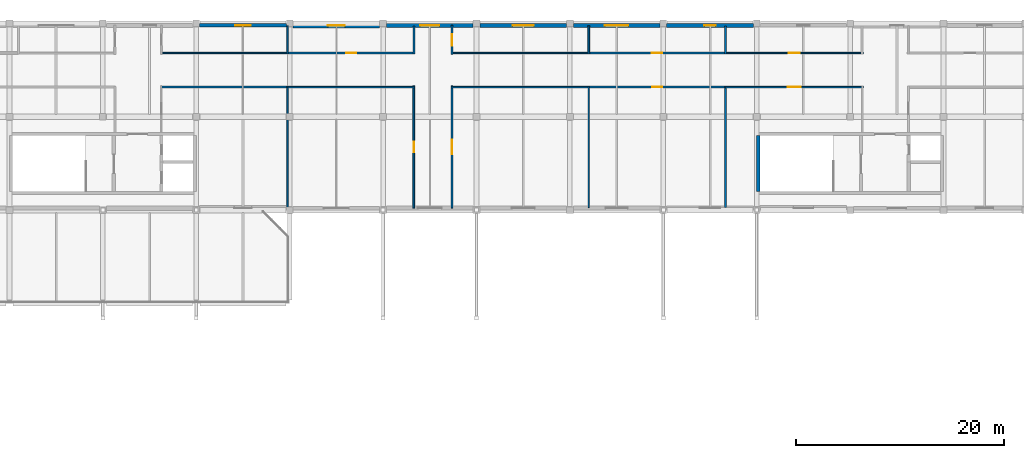
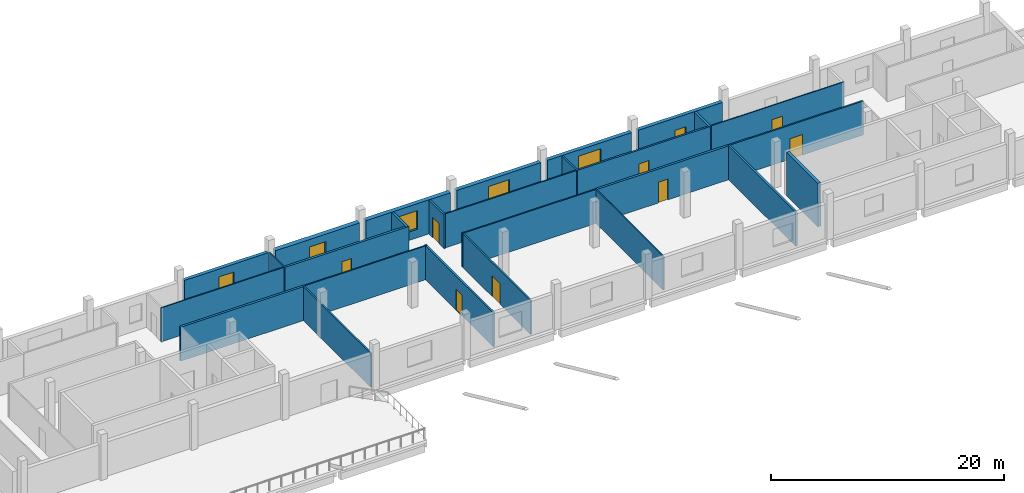
# One storey, part 60 of 82: 27 walls, 8 doors, 6 windows, 14 openings.
"""IFC4 building model written with IfcOpenShell, lengths in metres."""

import ifcopenshell
import ifcopenshell.guid

model = None  # the IFC model being written
_history = None  # IfcOwnerHistory: only IFC2X3 demands one
_inside = {}  # id of a spatial element -> (the spatial element, [elements in it])
_under = {}  # id of a project, library or spatial element -> (it, [spatial elements below it])
_declared = {}  # id of a project -> (the project, [libraries it declares])
_typed = {}  # id of a type object -> (the type object, [elements of that type])
_made_of = {}  # id of a material, layer set ... -> (it, [elements and type objects made of it])


def new_model(schema):
    """Start an empty IFC model of exactly this schema.

    Asked for "IFC4X3", IfcOpenShell would pick the latest addendum, in which some entities
    have other attributes; the version numbers below select the first issue.
    IFC2X3 requires an IfcOwnerHistory on every rooted entity: one is made here for all.
    """
    global model, _history
    if schema == "IFC4X3":
        model = ifcopenshell.file(schema_version=(4, 3, 0, 0))
    else:
        model = ifcopenshell.file(schema=schema)
    _inside.clear()
    _under.clear()
    _declared.clear()
    _typed.clear()
    _made_of.clear()
    _history = None
    if model.schema == "IFC2X3":
        org = make("IfcOrganization", Name="unknown")
        user = make(
            "IfcPersonAndOrganization",
            ThePerson=make("IfcPerson", FamilyName="unknown"),
            TheOrganization=org,
        )
        app = make(
            "IfcApplication",
            ApplicationDeveloper=org,
            Version="unknown",
            ApplicationFullName="unknown",
            ApplicationIdentifier="unknown",
        )
        _history = make(
            "IfcOwnerHistory",
            OwningUser=user,
            OwningApplication=app,
            ChangeAction="ADDED",
            CreationDate=0,
        )
    return model


def make(cls, **values):
    """One entity of the class cls with the attributes given. An attribute that is None is left unset."""
    return model.create_entity(
        cls, **{name: value for name, value in values.items() if value is not None}
    )


def rooted(cls, **values):
    """An entity with a GlobalId (a new one), such as an element, a storey or a relation."""
    return make(cls, GlobalId=ifcopenshell.guid.new(), OwnerHistory=_history, **values)


def si_unit(unit_type, name, prefix=None):
    """IfcSIUnit, for example si_unit("LENGTHUNIT", "METRE", prefix="MILLI")."""
    return make("IfcSIUnit", UnitType=unit_type, Prefix=prefix, Name=name)


def assignment(units):
    """IfcUnitAssignment: the units of a project."""
    return None if units is None else make("IfcUnitAssignment", Units=units)


def point(xyz):
    """IfcCartesianPoint."""
    return None if xyz is None else make("IfcCartesianPoint", Coordinates=xyz)


def direction(xyz):
    """IfcDirection."""
    return None if xyz is None else make("IfcDirection", DirectionRatios=xyz)


def frame(location, z_axis=None, x_axis=None):
    """IfcAxis2Placement3D, a coordinate frame: its origin and axes. An axis left out is left unset."""
    return make(
        "IfcAxis2Placement3D",
        Location=point(location),
        Axis=direction(z_axis),
        RefDirection=direction(x_axis),
    )


def frame_2d(location, x_axis=None):
    """IfcAxis2Placement2D, a coordinate frame in the plane: its origin and x axis."""
    return make(
        "IfcAxis2Placement2D", Location=point(location), RefDirection=direction(x_axis)
    )


def origin():
    """The frame at (0, 0, 0) with its axes left unset."""
    return frame((0.0, 0.0, 0.0))


def place(relative_to, where):
    """IfcLocalPlacement: puts the frame where relative to a parent placement (None: the world)."""
    return make(
        "IfcLocalPlacement", PlacementRelTo=relative_to, RelativePlacement=where
    )


def context(
    kind, dimensions, precision=None, world=None, true_north=None, identifier=None
):
    """IfcGeometricRepresentationContext, for example the 3D "Model" context."""
    return make(
        "IfcGeometricRepresentationContext",
        ContextIdentifier=identifier,
        ContextType=kind,
        CoordinateSpaceDimension=dimensions,
        Precision=precision,
        WorldCoordinateSystem=world,
        TrueNorth=true_north,
    )


def subcontext(parent, identifier, kind, view, scale=None):
    """IfcGeometricRepresentationSubContext, for example "Body" below "Model"."""
    return make(
        "IfcGeometricRepresentationSubContext",
        ContextIdentifier=identifier,
        ContextType=kind,
        ParentContext=parent,
        TargetScale=scale,
        TargetView=view,
    )


def project(units=None, contexts=None):
    """IfcProject with its units and contexts."""
    return rooted(
        "IfcProject",
        Name="project",
        RepresentationContexts=contexts,
        UnitsInContext=assignment(units),
    )


def spatial(cls, under=None, at=None, **own):
    """A site, building, storey or space (cls), placed at a placement, below another one or the project."""
    s = rooted(cls, ObjectPlacement=at, **own)
    if under is not None:
        _under.setdefault(under.id(), (under, []))[1].append(s)
    return s


def profile(cls, at=None, kind="AREA", **sizes):
    """A parametric profile (cls). Its sizes go by their IFC names, for example OverallWidth=200.0."""
    return make(cls, ProfileType=kind, Position=at, **sizes)


def rectangle(**sizes):
    """IfcRectangleProfileDef."""
    return profile("IfcRectangleProfileDef", **sizes)


def extrude(swept, where, along, depth):
    """IfcExtrudedAreaSolid: the profile swept, set in the frame where, extruded along a direction by depth."""
    return make(
        "IfcExtrudedAreaSolid",
        SweptArea=swept,
        Position=where,
        ExtrudedDirection=direction(along),
        Depth=depth,
    )


def shape(context_of_items, identifier, shape_type, items):
    """IfcShapeRepresentation: the items that make up one representation, for example the "Body"."""
    return make(
        "IfcShapeRepresentation",
        ContextOfItems=context_of_items,
        RepresentationIdentifier=identifier,
        RepresentationType=shape_type,
        Items=items,
    )


def material(Name=None, Category=None):
    """IfcMaterial."""
    return make("IfcMaterial", Name=Name, Category=Category)


def layer(
    of_material, thickness, ventilated=None, Name=None, Category=None, Priority=None
):
    """IfcMaterialLayer: one layer of a wall or slab, of a material (None: an air gap)."""
    return make(
        "IfcMaterialLayer",
        Material=of_material,
        LayerThickness=thickness,
        IsVentilated=ventilated,
        Name=Name,
        Category=Category,
        Priority=Priority,
    )


def layer_set(layers, Name=None):
    """IfcMaterialLayerSet."""
    return make("IfcMaterialLayerSet", MaterialLayers=layers, LayerSetName=Name)


def made_of(thing, what):
    """Note that an element or type object is made of a material, layer set ...; save() writes the relation."""
    if what is not None:
        _made_of.setdefault(what.id(), (what, []))[1].append(thing)
    return thing


def type_object(cls, material=None, **own):
    """A type object (cls), such as IfcWallType, which elements share."""
    return made_of(rooted(cls, **own), material)


def element(
    cls,
    number,
    at=None,
    inside=None,
    cuts=None,
    type_object=None,
    material=None,
    context=None,
    identifier="Body",
    shape_type=None,
    held_by="IfcProductDefinitionShape",
    body=None,
    shapes=None,
    **own,
):
    """One element of the class cls, such as IfcWall. Its Tag is "e" and its number.

    at: its placement. inside: the storey or other place that contains it. cuts: it is an
    opening in that element (IfcRelVoidsElement). A single representation is given by context,
    identifier, shape_type and body (its items); several are given by shapes. held_by: the class
    of the entity that holds the representations. save() writes the other relations.
    """
    e = rooted(cls, Tag="e%d" % number, ObjectPlacement=at, **own)
    if body is not None:
        shapes = [shape(context, identifier, shape_type, body)]
    if shapes is not None:
        e.Representation = make(held_by, Representations=shapes)
    if inside is not None:
        _inside.setdefault(inside.id(), (inside, []))[1].append(e)
    if cuts is not None:
        rooted(
            "IfcRelVoidsElement", RelatingBuildingElement=cuts, RelatedOpeningElement=e
        )
    if type_object is not None:
        _typed.setdefault(type_object.id(), (type_object, []))[1].append(e)
    return made_of(e, material)


def fill(opening, filler):
    """IfcRelFillsElement: the door or window that sits in an opening."""
    return rooted(
        "IfcRelFillsElement",
        RelatingOpeningElement=opening,
        RelatedBuildingElement=filler,
    )


def aggregate(whole, parts):
    """IfcRelAggregates: a whole, such as a stair, and the parts it consists of."""
    return rooted("IfcRelAggregates", RelatingObject=whole, RelatedObjects=parts)


def save(model, path):
    """Write the relations noted so far, then the file.

    IfcRelAggregates (storeys below a building ...), IfcRelContainedInSpatialStructure (elements
    in a storey), IfcRelDefinesByType, IfcRelAssociatesMaterial and IfcRelDeclares: one each for
    every whole, place, type object, material and project.
    """
    for whole, parts in _under.values():
        aggregate(whole, parts)
    for where, things in _inside.values():
        rooted(
            "IfcRelContainedInSpatialStructure",
            RelatedElements=things,
            RelatingStructure=where,
        )
    for kind, things in _typed.values():
        rooted("IfcRelDefinesByType", RelatedObjects=things, RelatingType=kind)
    for what, things in _made_of.values():
        rooted("IfcRelAssociatesMaterial", RelatedObjects=things, RelatingMaterial=what)
    for by, libraries in _declared.values():
        rooted("IfcRelDeclares", RelatingContext=by, RelatedDefinitions=libraries)
    model.write(path)


model = new_model("IFC4")

# Units and contexts
model_context = context("Model", 3, precision=1e-05, world=origin(), true_north=direction((0.0, 1.0)))
body_context = subcontext(model_context, "Body", "Model", "MODEL_VIEW")
ifc_project = project(units=[si_unit("LENGTHUNIT", "METRE"), si_unit("AREAUNIT", "SQUARE_METRE"), si_unit("VOLUMEUNIT", "CUBIC_METRE"), si_unit("PLANEANGLEUNIT", "RADIAN"), si_unit("MASSUNIT", "GRAM", prefix="KILO"), si_unit("THERMODYNAMICTEMPERATUREUNIT", "KELVIN"), si_unit("POWERUNIT", "WATT")], contexts=[model_context])

# Site, building, storey
site_placement = place(None, origin())
site = spatial("IfcSite", under=ifc_project, at=site_placement, CompositionType="ELEMENT")
building_placement = place(site_placement, origin())
building = spatial("IfcBuilding", under=site, at=building_placement, Name="Sindhuravela Promenade Stadium", CompositionType="ELEMENT")
storey_placement = place(building_placement, frame((0.0, 0.0, 14.39990234375)))
storey = spatial("IfcBuildingStorey", under=building, at=storey_placement, Name="L03", CompositionType="ELEMENT", Elevation=14.39990234375)

# Wall, opening, window
ifc_material_1 = material(Name="Terracotta clay brick masonry (15 MPa)", Category="masonry")
ifc_layer_1 = layer(ifc_material_1, 0.340087890625)
ifc_layer_set_1 = layer_set([ifc_layer_1], Name="Terracotta clay brick masonry (15 MPa)")
wall_type_1 = type_object("IfcWallType", Name="EX-WL-BRK340", PredefinedType="SOLIDWALL", material=ifc_layer_set_1)
wall_1_placement = place(storey_placement, frame((81.330078125, 152.800048828125, 0.0), z_axis=(0.0, 0.0, 1.0), x_axis=(1.0, 0.0, 0.0)))
wall_1 = element("IfcWall", 1, at=wall_1_placement, inside=storey, type_object=wall_type_1, Name="Exterior masonry wall EW06 NORTH L03", PredefinedType="SOLIDWALL", context=body_context, shape_type="SweptSolid", body=[
    extrude(rectangle(XDim=8.33984375, YDim=0.340087890625, at=frame_2d((4.169921875, 0.0))), origin(), (0.0, 0.0, 1.0), 3.580078125),
])
opening_1_placement = place(wall_1_placement, frame((3.445068359375, 0.0, 0.89990234375)))
opening_1 = element("IfcOpeningElement", 2, at=opening_1_placement, cuts=wall_1, Name="Opening W26", PredefinedType="OPENING", context=body_context, shape_type="SweptSolid", body=[
    extrude(rectangle(XDim=1.449951171875, YDim=1.85009765625, at=frame_2d((0.72509765625, 0.925048828125))), frame((0.0, 0.179931640625, 0.0), z_axis=(0.0, -1.0, 0.0), x_axis=(1.0, 0.0, 0.0)), (0.0, 0.0, 1.0), 0.360107421875),
])
ifc_material_2 = material(Name="Tempered laminated low-E glass", Category="glass")
window_type_1 = type_object("IfcWindowType", Name="WN-FAC-1450x1850", PartitioningType="SINGLE_PANEL", PredefinedType="WINDOW", material=ifc_material_2)
window_1_placement = place(opening_1_placement, origin())
window_1 = element("IfcWindow", 3, at=window_1_placement, inside=storey, type_object=window_type_1, Name="Window W26 NORTH L03", OverallHeight=1.85009765625, OverallWidth=1.449951171875, PartitioningType="SINGLE_PANEL", PredefinedType="WINDOW", context=body_context, shape_type="SweptSolid", body=[
    extrude(rectangle(XDim=1.449951171875, YDim=1.85009765625, at=frame_2d((0.72509765625, 0.925048828125))), frame((0.0, 0.030029296875, 0.0), z_axis=(0.0, -1.0, 0.0), x_axis=(1.0, 0.0, 0.0)), (0.0, 0.0, 1.0), 0.06005859375),
])
fill(opening_1, window_1)

ifc_layer_2 = layer(ifc_material_1, 0.360107421875)
ifc_layer_set_2 = layer_set([ifc_layer_2], Name="Terracotta clay brick masonry (15 MPa)")
wall_type_2 = type_object("IfcWallType", Name="EX-WL-BRK360", PredefinedType="SOLIDWALL", material=ifc_layer_set_2)
wall_2_placement = place(storey_placement, frame((126.330078125, 152.800048828125, 0.0), z_axis=(0.0, 0.0, 1.0), x_axis=(1.0, 0.0, 0.0)))
wall_2 = element("IfcWall", 4, at=wall_2_placement, inside=storey, type_object=wall_type_2, Name="Exterior masonry wall EW05 NORTH L03", PredefinedType="SOLIDWALL", context=body_context, shape_type="SweptSolid", body=[
    extrude(rectangle(XDim=8.33984375, YDim=0.360107421875, at=frame_2d((4.169921875, 0.0))), origin(), (0.0, 0.0, 1.0), 3.580078125),
])
opening_2_placement = place(wall_2_placement, frame((3.6201171875, 0.0, 0.89990234375)))
opening_2 = element("IfcOpeningElement", 5, at=opening_2_placement, cuts=wall_2, Name="Opening W01", PredefinedType="OPENING", context=body_context, shape_type="SweptSolid", body=[
    extrude(rectangle(XDim=1.10009765625, YDim=1.39990234375, at=frame_2d((0.550048828125, 0.699951171875))), frame((0.0, 0.18994140625, 0.0), z_axis=(0.0, -1.0, 0.0), x_axis=(1.0, 0.0, 0.0)), (0.0, 0.0, 1.0), 0.380126953125),
])
window_type_2 = type_object("IfcWindowType", Name="WN-FAC-1100x1400", PartitioningType="SINGLE_PANEL", PredefinedType="WINDOW", material=ifc_material_2)
window_2_placement = place(opening_2_placement, origin())
window_2 = element("IfcWindow", 6, at=window_2_placement, inside=storey, type_object=window_type_2, Name="Window W01 NORTH L03", OverallHeight=1.39990234375, OverallWidth=1.10009765625, PartitioningType="SINGLE_PANEL", PredefinedType="WINDOW", context=body_context, shape_type="SweptSolid", body=[
    extrude(rectangle(XDim=1.10009765625, YDim=1.39990234375, at=frame_2d((0.550048828125, 0.699951171875))), frame((0.0, 0.030029296875, 0.0), z_axis=(0.0, -1.0, 0.0), x_axis=(1.0, 0.0, 0.0)), (0.0, 0.0, 1.0), 0.06005859375),
])
fill(opening_2, window_2)

ifc_layer_3 = layer(ifc_material_1, 0.3798828125)
ifc_layer_set_3 = layer_set([ifc_layer_3], Name="Terracotta clay brick masonry (15 MPa)")
wall_type_3 = type_object("IfcWallType", Name="EX-WL-BRK380", PredefinedType="SOLIDWALL", material=ifc_layer_set_3)
wall_3_placement = place(storey_placement, frame((117.330078125, 152.800048828125, 0.0), z_axis=(0.0, 0.0, 1.0), x_axis=(1.0, 0.0, 0.0)))
wall_3 = element("IfcWall", 7, at=wall_3_placement, inside=storey, type_object=wall_type_3, Name="Exterior masonry wall EW04 NORTH L03", PredefinedType="SOLIDWALL", context=body_context, shape_type="SweptSolid", body=[
    extrude(rectangle(XDim=8.33984375, YDim=0.3798828125, at=frame_2d((4.169921875, 0.0))), origin(), (0.0, 0.0, 1.0), 3.580078125),
])
opening_3_placement = place(wall_3_placement, frame((3.044921875, 0.0, 0.89990234375)))
opening_3 = element("IfcOpeningElement", 8, at=opening_3_placement, cuts=wall_3, Name="Opening W30", PredefinedType="OPENING", context=body_context, shape_type="SweptSolid", body=[
    extrude(rectangle(XDim=2.25, YDim=2.050048828125, at=frame_2d((1.125, 1.02490234375))), frame((0.0, 0.199951171875, 0.0), z_axis=(0.0, -1.0, 0.0), x_axis=(1.0, 0.0, 0.0)), (0.0, 0.0, 1.0), 0.39990234375),
])
window_type_3 = type_object("IfcWindowType", Name="WN-FAC-2250x2050", PartitioningType="DOUBLE_PANEL_VERTICAL", PredefinedType="WINDOW", material=ifc_material_2)
window_3_placement = place(opening_3_placement, origin())
window_3 = element("IfcWindow", 9, at=window_3_placement, inside=storey, type_object=window_type_3, Name="Window W30 NORTH L03", OverallHeight=2.050048828125, OverallWidth=2.25, PartitioningType="DOUBLE_PANEL_VERTICAL", PredefinedType="WINDOW", context=body_context, shape_type="SweptSolid", body=[
    extrude(rectangle(XDim=2.25, YDim=2.050048828125, at=frame_2d((1.125, 1.02490234375))), frame((0.0, 0.030029296875, 0.0), z_axis=(0.0, -1.0, 0.0), x_axis=(1.0, 0.0, 0.0)), (0.0, 0.0, 1.0), 0.06005859375),
])
fill(opening_3, window_3)

ifc_layer_4 = layer(ifc_material_1, 0.39990234375)
ifc_layer_set_4 = layer_set([ifc_layer_4], Name="Terracotta clay brick masonry (15 MPa)")
wall_type_4 = type_object("IfcWallType", Name="EX-WL-BRK400", PredefinedType="SOLIDWALL", material=ifc_layer_set_4)
wall_4_placement = place(storey_placement, frame((108.330078125, 152.800048828125, 0.0), z_axis=(0.0, 0.0, 1.0), x_axis=(1.0, 0.0, 0.0)))
wall_4 = element("IfcWall", 10, at=wall_4_placement, inside=storey, type_object=wall_type_4, Name="Exterior masonry wall EW03 NORTH L03", PredefinedType="SOLIDWALL", context=body_context, shape_type="SweptSolid", body=[
    extrude(rectangle(XDim=8.33984375, YDim=0.39990234375, at=frame_2d((4.169921875, 0.0))), origin(), (0.0, 0.0, 1.0), 3.580078125),
])
opening_4_placement = place(wall_4_placement, frame((3.14501953125, 0.0, 0.89990234375)))
opening_4 = element("IfcOpeningElement", 11, at=opening_4_placement, cuts=wall_4, Name="Opening W29", PredefinedType="OPENING", context=body_context, shape_type="SweptSolid", body=[
    extrude(rectangle(XDim=2.050048828125, YDim=2.0, at=frame_2d((1.02490234375, 1.0))), frame((0.0, 0.2099609375, 0.0), z_axis=(0.0, -1.0, 0.0), x_axis=(1.0, 0.0, 0.0)), (0.0, 0.0, 1.0), 0.419921875),
])
window_type_4 = type_object("IfcWindowType", Name="WN-FAC-2050x2000", PartitioningType="DOUBLE_PANEL_VERTICAL", PredefinedType="WINDOW", material=ifc_material_2)
window_4_placement = place(opening_4_placement, origin())
window_4 = element("IfcWindow", 12, at=window_4_placement, inside=storey, type_object=window_type_4, Name="Window W29 NORTH L03", OverallHeight=2.0, OverallWidth=2.050048828125, PartitioningType="DOUBLE_PANEL_VERTICAL", PredefinedType="WINDOW", context=body_context, shape_type="SweptSolid", body=[
    extrude(rectangle(XDim=2.050048828125, YDim=2.0, at=frame_2d((1.02490234375, 1.0))), frame((0.0, 0.030029296875, 0.0), z_axis=(0.0, -1.0, 0.0), x_axis=(1.0, 0.0, 0.0)), (0.0, 0.0, 1.0), 0.06005859375),
])
fill(opening_4, window_4)

ifc_layer_5 = layer(ifc_material_1, 0.419921875)
ifc_layer_set_5 = layer_set([ifc_layer_5], Name="Terracotta clay brick masonry (15 MPa)")
wall_type_5 = type_object("IfcWallType", Name="EX-WL-BRK420", PredefinedType="SOLIDWALL", material=ifc_layer_set_5)
wall_5_placement = place(storey_placement, frame((99.330078125, 152.800048828125, 0.0), z_axis=(0.0, 0.0, 1.0), x_axis=(1.0, 0.0, 0.0)))
wall_5 = element("IfcWall", 13, at=wall_5_placement, inside=storey, type_object=wall_type_5, Name="Exterior masonry wall EW02 NORTH L03", PredefinedType="SOLIDWALL", context=body_context, shape_type="SweptSolid", body=[
    extrude(rectangle(XDim=8.33984375, YDim=0.419921875, at=frame_2d((4.169921875, 0.0))), origin(), (0.0, 0.0, 1.0), 3.580078125),
])
opening_5_placement = place(wall_5_placement, frame((3.2451171875, 0.0, 0.89990234375)))
opening_5 = element("IfcOpeningElement", 14, at=opening_5_placement, cuts=wall_5, Name="Opening W28", PredefinedType="OPENING", context=body_context, shape_type="SweptSolid", body=[
    extrude(rectangle(XDim=1.85009765625, YDim=1.949951171875, at=frame_2d((0.925048828125, 0.97509765625))), frame((0.0, 0.219970703125, 0.0), z_axis=(0.0, -1.0, 0.0), x_axis=(1.0, 0.0, 0.0)), (0.0, 0.0, 1.0), 0.43994140625),
])
window_type_5 = type_object("IfcWindowType", Name="WN-FAC-1850x1950", PartitioningType="DOUBLE_PANEL_VERTICAL", PredefinedType="WINDOW", material=ifc_material_2)
window_5_placement = place(opening_5_placement, origin())
window_5 = element("IfcWindow", 15, at=window_5_placement, inside=storey, type_object=window_type_5, Name="Window W28 NORTH L03", OverallHeight=1.949951171875, OverallWidth=1.85009765625, PartitioningType="DOUBLE_PANEL_VERTICAL", PredefinedType="WINDOW", context=body_context, shape_type="SweptSolid", body=[
    extrude(rectangle(XDim=1.85009765625, YDim=1.949951171875, at=frame_2d((0.925048828125, 0.97509765625))), frame((0.0, 0.030029296875, 0.0), z_axis=(0.0, -1.0, 0.0), x_axis=(1.0, 0.0, 0.0)), (0.0, 0.0, 1.0), 0.06005859375),
])
fill(opening_5, window_5)

ifc_layer_6 = layer(ifc_material_1, 0.4599609375)
ifc_layer_set_6 = layer_set([ifc_layer_6], Name="Terracotta clay brick masonry (15 MPa)")
wall_type_6 = type_object("IfcWallType", Name="EX-WL-BRK460", PredefinedType="SOLIDWALL", material=ifc_layer_set_6)
wall_6_placement = place(storey_placement, frame((90.330078125, 152.800048828125, 0.0), z_axis=(0.0, 0.0, 1.0), x_axis=(1.0, 0.0, 0.0)))
wall_6 = element("IfcWall", 16, at=wall_6_placement, inside=storey, type_object=wall_type_6, Name="Exterior masonry wall EW01 NORTH L03", PredefinedType="SOLIDWALL", context=body_context, shape_type="SweptSolid", body=[
    extrude(rectangle(XDim=8.33984375, YDim=0.4599609375, at=frame_2d((4.169921875, 0.0))), origin(), (0.0, 0.0, 1.0), 3.580078125),
])
opening_6_placement = place(wall_6_placement, frame((3.344970703125, 0.0, 0.89990234375)))
opening_6 = element("IfcOpeningElement", 17, at=opening_6_placement, cuts=wall_6, Name="Opening W27", PredefinedType="OPENING", context=body_context, shape_type="SweptSolid", body=[
    extrude(rectangle(XDim=1.64990234375, YDim=1.89990234375, at=frame_2d((0.824951171875, 0.949951171875))), frame((0.0, 0.239990234375, 0.0), z_axis=(0.0, -1.0, 0.0), x_axis=(1.0, 0.0, 0.0)), (0.0, 0.0, 1.0), 0.47998046875),
])
window_type_6 = type_object("IfcWindowType", Name="WN-FAC-1650x1900", PartitioningType="SINGLE_PANEL", PredefinedType="WINDOW", material=ifc_material_2)
window_6_placement = place(opening_6_placement, origin())
window_6 = element("IfcWindow", 18, at=window_6_placement, inside=storey, type_object=window_type_6, Name="Window W27 NORTH L03", OverallHeight=1.89990234375, OverallWidth=1.64990234375, PartitioningType="SINGLE_PANEL", PredefinedType="WINDOW", context=body_context, shape_type="SweptSolid", body=[
    extrude(rectangle(XDim=1.64990234375, YDim=1.89990234375, at=frame_2d((0.824951171875, 0.949951171875))), frame((0.0, 0.030029296875, 0.0), z_axis=(0.0, -1.0, 0.0), x_axis=(1.0, 0.0, 0.0)), (0.0, 0.0, 1.0), 0.06005859375),
])
fill(opening_6, window_6)

# Wall
ifc_material_3 = material(Name="Fire-rated gypsum partition board", Category="gypsum")
ifc_layer_7 = layer(ifc_material_3, 0.110107421875)
ifc_layer_set_7 = layer_set([ifc_layer_7], Name="Fire-rated gypsum partition board")
wall_type_7 = type_object("IfcWallType", Name="IN-WL-PAR110", PredefinedType="PARTITIONING", material=ifc_layer_set_7)
wall_7_placement = place(storey_placement, frame((118.813232421875, 146.93994140625, 0.0), z_axis=(0.0, 0.0, 1.0), x_axis=(0.0, -1.0, 0.0)))
element("IfcWall", 19, at=wall_7_placement, inside=storey, type_object=wall_type_7, Name="Interior partition IW06 NORTH L03", PredefinedType="PARTITIONING", context=body_context, shape_type="SweptSolid", body=[
    extrude(rectangle(XDim=11.699951171875, YDim=0.110107421875, at=frame_2d((5.85009765625, 0.0))), origin(), (0.0, 0.0, 1.0), 3.56005859375),
])

# Wall, opening, door
wall_8_placement = place(storey_placement, frame((131.98681640625, 150.139892578125, 0.0), z_axis=(0.0, 0.0, 1.0), x_axis=(1.0, 0.0, 0.0)))
wall_8 = element("IfcWall", 20, at=wall_8_placement, inside=storey, type_object=wall_type_7, Name="Corridor partition IW06 Accessible WC North L03 5", PredefinedType="PARTITIONING", context=body_context, shape_type="SweptSolid", body=[
    extrude(rectangle(XDim=13.293212890625, YDim=0.110107421875, at=frame_2d((6.646484375, 0.0))), origin(), (0.0, 0.0, 1.0), 3.56005859375),
])
opening_7_placement = place(wall_8_placement, frame((6.12158203125, 0.0, 0.0)))
opening_7 = element("IfcOpeningElement", 21, at=opening_7_placement, cuts=wall_8, Name="Opening ID07", PredefinedType="OPENING", context=body_context, shape_type="SweptSolid", body=[
    extrude(rectangle(XDim=1.050048828125, YDim=2.10009765625, at=frame_2d((0.52490234375, 1.050048828125))), frame((0.0, 0.06494140625, 0.0), z_axis=(0.0, -1.0, 0.0), x_axis=(1.0, 0.0, 0.0)), (0.0, 0.0, 1.0), 0.130126953125),
])
ifc_material_4 = material(Name="Architectural teak timber leaf", Category="wood")
door_type_1 = type_object("IfcDoorType", Name="DR-INT-1050x2100", OperationType="NOTDEFINED", PredefinedType="DOOR", material=ifc_material_4)
door_1_placement = place(opening_7_placement, origin())
door_1 = element("IfcDoor", 22, at=door_1_placement, inside=storey, type_object=door_type_1, Name="Accessible WC North L03 5 door", OperationType="SINGLE_SWING_LEFT", OverallHeight=2.10009765625, OverallWidth=1.050048828125, PredefinedType="DOOR", context=body_context, shape_type="SweptSolid", body=[
    extrude(rectangle(XDim=1.050048828125, YDim=2.10009765625, at=frame_2d((0.52490234375, 1.050048828125))), frame((0.0, 0.02490234375, 0.0), z_axis=(0.0, -1.0, 0.0), x_axis=(1.0, 0.0, 0.0)), (0.0, 0.0, 1.0), 0.050048828125),
])
fill(opening_7, door_1)

# Walls
wall_9_placement = place(storey_placement, frame((89.760009765625, 150.139892578125, 0.0), z_axis=(0.0, 0.0, 1.0), x_axis=(-1.0, 0.0, 0.0)))
element("IfcWall", 23, at=wall_9_placement, inside=storey, type_object=wall_type_7, Name="Interior partition IW06 NORTH L03", PredefinedType="PARTITIONING", context=body_context, shape_type="SweptSolid", body=[
    extrude(rectangle(XDim=12.199951171875, YDim=0.110107421875, at=frame_2d((6.10009765625, 0.0))), origin(), (0.0, 0.0, 1.0), 3.56005859375),
])
ifc_layer_8 = layer(ifc_material_3, 0.1298828125)
ifc_layer_set_8 = layer_set([ifc_layer_8], Name="Fire-rated gypsum partition board")
wall_type_8 = type_object("IfcWallType", Name="IN-WL-PAR130", PredefinedType="PARTITIONING", material=ifc_layer_set_8)
wall_10_placement = place(storey_placement, frame((105.56005859375, 146.860107421875, 0.0), z_axis=(0.0, 0.0, 1.0), x_axis=(1.0, 0.0, 0.0)))
element("IfcWall", 24, at=wall_10_placement, inside=storey, type_object=wall_type_8, Name="Interior partition IW05 NORTH L03", PredefinedType="PARTITIONING", context=body_context, shape_type="SweptSolid", body=[
    extrude(rectangle(XDim=13.213134765625, YDim=0.1298828125, at=frame_2d((6.6064453125, 0.0))), origin(), (0.0, 0.0, 1.0), 3.56005859375),
])
wall_11_placement = place(storey_placement, frame((89.840087890625, 146.860107421875, 0.0), z_axis=(0.0, 0.0, 1.0), x_axis=(1.0, 0.0, 0.0)))
element("IfcWall", 25, at=wall_11_placement, inside=storey, type_object=wall_type_8, Name="Interior partition IW05 NORTH L03", PredefinedType="PARTITIONING", context=body_context, shape_type="SweptSolid", body=[
    extrude(rectangle(XDim=12.199951171875, YDim=0.1298828125, at=frame_2d((6.10009765625, 0.0))), origin(), (0.0, 0.0, 1.0), 3.56005859375),
])
wall_12_placement = place(storey_placement, frame((118.773193359375, 150.139892578125, 0.0), z_axis=(0.0, 0.0, 1.0), x_axis=(-1.0, 0.0, 0.0)))
element("IfcWall", 26, at=wall_12_placement, inside=storey, type_object=wall_type_8, Name="Interior partition IW05 NORTH L03", PredefinedType="PARTITIONING", context=body_context, shape_type="SweptSolid", body=[
    extrude(rectangle(XDim=13.213134765625, YDim=0.1298828125, at=frame_2d((6.6064453125, 0.0))), origin(), (0.0, 0.0, 1.0), 3.56005859375),
])
wall_13_placement = place(storey_placement, frame((89.800048828125, 152.760009765625, 0.0), z_axis=(0.0, 0.0, 1.0), x_axis=(0.0, -1.0, 0.0)))
element("IfcWall", 27, at=wall_13_placement, inside=storey, type_object=wall_type_8, Name="Interior partition IW05 NORTH L03", PredefinedType="PARTITIONING", context=body_context, shape_type="SweptSolid", body=[
    extrude(rectangle(XDim=2.699951171875, YDim=0.1298828125, at=frame_2d((1.35009765625, 0.0))), origin(), (0.0, 0.0, 1.0), 3.56005859375),
])

# Wall, opening, door
ifc_layer_9 = layer(ifc_material_3, 0.14990234375)
ifc_layer_set_9 = layer_set([ifc_layer_9], Name="Fire-rated gypsum partition board")
wall_type_9 = type_object("IfcWallType", Name="IN-WL-PAR150", PredefinedType="PARTITIONING", material=ifc_layer_set_9)
wall_14_placement = place(storey_placement, frame((105.639892578125, 146.97998046875, 0.0), z_axis=(0.0, 0.0, 1.0), x_axis=(0.0, -1.0, 0.0)))
wall_14 = element("IfcWall", 28, at=wall_14_placement, inside=storey, type_object=wall_type_9, Name="Corridor partition IW04 North Upper Concourse Hall", PredefinedType="PARTITIONING", context=body_context, shape_type="SweptSolid", body=[
    extrude(rectangle(XDim=11.780029296875, YDim=0.14990234375, at=frame_2d((5.89013671875, 0.0))), origin(), (0.0, 0.0, 1.0), 3.56005859375),
])
opening_8_placement = place(wall_14_placement, frame((5.18994140625, 0.0, 0.0)))
opening_8 = element("IfcOpeningElement", 29, at=opening_8_placement, cuts=wall_14, Name="Opening ID03", PredefinedType="OPENING", context=body_context, shape_type="SweptSolid", body=[
    extrude(rectangle(XDim=1.39990234375, YDim=2.14990234375, at=frame_2d((0.699951171875, 1.074951171875))), frame((0.0, 0.0849609375, 0.0), z_axis=(0.0, -1.0, 0.0), x_axis=(1.0, 0.0, 0.0)), (0.0, 0.0, 1.0), 0.169921875),
])
door_type_2 = type_object("IfcDoorType", Name="DR-INT-1400x2150", OperationType="DOUBLE_DOOR_SINGLE_SWING", PredefinedType="DOOR", material=ifc_material_4)
door_2_placement = place(opening_8_placement, origin())
door_2 = element("IfcDoor", 30, at=door_2_placement, inside=storey, type_object=door_type_2, Name="North Upper Concourse Hall door", OperationType="DOUBLE_DOOR_SINGLE_SWING", OverallHeight=2.14990234375, OverallWidth=1.39990234375, PredefinedType="DOOR", context=body_context, shape_type="SweptSolid", body=[
    extrude(rectangle(XDim=1.39990234375, YDim=2.14990234375, at=frame_2d((0.699951171875, 1.074951171875))), frame((0.0, 0.02490234375, 0.0), z_axis=(0.0, -1.0, 0.0), x_axis=(1.0, 0.0, 0.0)), (0.0, 0.0, 1.0), 0.050048828125),
])
fill(opening_8, door_2)

# Wall
wall_15_placement = place(storey_placement, frame((89.800048828125, 135.239990234375, 0.0), z_axis=(0.0, 0.0, 1.0), x_axis=(0.0, 1.0, 0.0)))
element("IfcWall", 31, at=wall_15_placement, inside=storey, type_object=wall_type_9, Name="Interior partition IW04 NORTH L03", PredefinedType="PARTITIONING", context=body_context, shape_type="SweptSolid", body=[
    extrude(rectangle(XDim=11.699951171875, YDim=0.14990234375, at=frame_2d((5.85009765625, 0.0))), origin(), (0.0, 0.0, 1.0), 3.56005859375),
])

# Wall, opening, door
wall_16_placement = place(storey_placement, frame((145.280029296875, 146.860107421875, 0.0), z_axis=(0.0, 0.0, 1.0), x_axis=(-1.0, 0.0, 0.0)))
wall_16 = element("IfcWall", 32, at=wall_16_placement, inside=storey, type_object=wall_type_9, Name="Corridor partition IW04 North Upper Concourse Hall 2", PredefinedType="PARTITIONING", context=body_context, shape_type="SweptSolid", body=[
    extrude(rectangle(XDim=13.293212890625, YDim=0.14990234375, at=frame_2d((6.646484375, 0.0))), origin(), (0.0, 0.0, 1.0), 3.56005859375),
])
opening_9_placement = place(wall_16_placement, frame((6.021728515625, 0.0, 0.0)))
opening_9 = element("IfcOpeningElement", 33, at=opening_9_placement, cuts=wall_16, Name="Opening ID04", PredefinedType="OPENING", context=body_context, shape_type="SweptSolid", body=[
    extrude(rectangle(XDim=1.25, YDim=2.14990234375, at=frame_2d((0.625, 1.074951171875))), frame((0.0, 0.0849609375, 0.0), z_axis=(0.0, -1.0, 0.0), x_axis=(1.0, 0.0, 0.0)), (0.0, 0.0, 1.0), 0.169921875),
])
door_type_3 = type_object("IfcDoorType", Name="DR-INT-1250x2150", OperationType="NOTDEFINED", PredefinedType="DOOR", material=ifc_material_4)
door_3_placement = place(opening_9_placement, origin())
door_3 = element("IfcDoor", 34, at=door_3_placement, inside=storey, type_object=door_type_3, Name="North Upper Concourse Hall 2 door", OperationType="SINGLE_SWING_RIGHT", OverallHeight=2.14990234375, OverallWidth=1.25, PredefinedType="DOOR", context=body_context, shape_type="SweptSolid", body=[
    extrude(rectangle(XDim=1.25, YDim=2.14990234375, at=frame_2d((0.625, 1.074951171875))), frame((0.0, 0.02490234375, 0.0), z_axis=(0.0, -1.0, 0.0), x_axis=(1.0, 0.0, 0.0)), (0.0, 0.0, 1.0), 0.050048828125),
])
fill(opening_9, door_3)

# Wall
wall_17_placement = place(storey_placement, frame((118.813232421875, 152.760009765625, 0.0), z_axis=(0.0, 0.0, 1.0), x_axis=(0.0, -1.0, 0.0)))
element("IfcWall", 35, at=wall_17_placement, inside=storey, type_object=wall_type_9, Name="Interior partition IW04 NORTH L03", PredefinedType="PARTITIONING", context=body_context, shape_type="SweptSolid", body=[
    extrude(rectangle(XDim=2.699951171875, YDim=0.14990234375, at=frame_2d((1.35009765625, 0.0))), origin(), (0.0, 0.0, 1.0), 3.56005859375),
])

# Wall, opening, door
ifc_layer_10 = layer(ifc_material_3, 0.175048828125)
ifc_layer_set_10 = layer_set([ifc_layer_10], Name="Fire-rated gypsum partition board")
wall_type_10 = type_object("IfcWallType", Name="IN-WL-PAR175", PredefinedType="PARTITIONING", material=ifc_layer_set_10)
wall_18_placement = place(storey_placement, frame((101.9599609375, 135.199951171875, 0.0), z_axis=(0.0, 0.0, 1.0), x_axis=(0.0, 1.0, 0.0)))
wall_18 = element("IfcWall", 36, at=wall_18_placement, inside=storey, type_object=wall_type_10, Name="Corridor partition IW03 North Refreshment Bar", PredefinedType="PARTITIONING", context=body_context, shape_type="SweptSolid", body=[
    extrude(rectangle(XDim=11.780029296875, YDim=0.175048828125, at=frame_2d((5.89013671875, 0.0))), origin(), (0.0, 0.0, 1.0), 3.56005859375),
])
opening_10_placement = place(wall_18_placement, frame((5.3798828125, 0.0, 0.0)))
opening_10 = element("IfcOpeningElement", 37, at=opening_10_placement, cuts=wall_18, Name="Opening ID11", PredefinedType="OPENING", context=body_context, shape_type="SweptSolid", body=[
    extrude(rectangle(XDim=1.02001953125, YDim=2.159912109375, at=frame_2d((0.510009765625, 1.080078125))), frame((0.0, 0.097412109375, 0.0), z_axis=(0.0, -1.0, 0.0), x_axis=(1.0, 0.0, 0.0)), (0.0, 0.0, 1.0), 0.195068359375),
])
door_type_4 = type_object("IfcDoorType", Name="DR-INT-1020x2160", OperationType="NOTDEFINED", PredefinedType="DOOR", material=ifc_material_4)
door_4_placement = place(opening_10_placement, origin())
door_4 = element("IfcDoor", 38, at=door_4_placement, inside=storey, type_object=door_type_4, Name="North Refreshment Bar door", OperationType="SINGLE_SWING_LEFT", OverallHeight=2.159912109375, OverallWidth=1.02001953125, PredefinedType="DOOR", context=body_context, shape_type="SweptSolid", body=[
    extrude(rectangle(XDim=1.02001953125, YDim=2.159912109375, at=frame_2d((0.510009765625, 1.080078125))), frame((0.0, 0.02490234375, 0.0), z_axis=(0.0, -1.0, 0.0), x_axis=(1.0, 0.0, 0.0)), (0.0, 0.0, 1.0), 0.050048828125),
])
fill(opening_10, door_4)

wall_19_placement = place(storey_placement, frame((105.639892578125, 152.800048828125, 0.0), z_axis=(0.0, 0.0, 1.0), x_axis=(0.0, -1.0, 0.0)))
wall_19 = element("IfcWall", 39, at=wall_19_placement, inside=storey, type_object=wall_type_10, Name="Corridor partition IW03 North Refreshment Bar 4", PredefinedType="PARTITIONING", context=body_context, shape_type="SweptSolid", body=[
    extrude(rectangle(XDim=2.780029296875, YDim=0.175048828125, at=frame_2d((1.39013671875, 0.0))), origin(), (0.0, 0.0, 1.0), 3.56005859375),
])
opening_11_placement = place(wall_19_placement, frame((0.840087890625, 0.0, 0.0)))
opening_11 = element("IfcOpeningElement", 40, at=opening_11_placement, cuts=wall_19, Name="Opening ID06", PredefinedType="OPENING", context=body_context, shape_type="SweptSolid", body=[
    extrude(rectangle(XDim=1.10009765625, YDim=2.10009765625, at=frame_2d((0.550048828125, 1.050048828125))), frame((0.0, 0.097412109375, 0.0), z_axis=(0.0, -1.0, 0.0), x_axis=(1.0, 0.0, 0.0)), (0.0, 0.0, 1.0), 0.195068359375),
])
door_type_5 = type_object("IfcDoorType", Name="DR-INT-1100x2100", OperationType="NOTDEFINED", PredefinedType="DOOR", material=ifc_material_4)
door_5_placement = place(opening_11_placement, origin())
door_5 = element("IfcDoor", 41, at=door_5_placement, inside=storey, type_object=door_type_5, Name="North Refreshment Bar 4 door", OperationType="SINGLE_SWING_RIGHT", OverallHeight=2.10009765625, OverallWidth=1.10009765625, PredefinedType="DOOR", context=body_context, shape_type="SweptSolid", body=[
    extrude(rectangle(XDim=1.10009765625, YDim=2.10009765625, at=frame_2d((0.550048828125, 1.050048828125))), frame((0.0, 0.02490234375, 0.0), z_axis=(0.0, -1.0, 0.0), x_axis=(1.0, 0.0, 0.0)), (0.0, 0.0, 1.0), 0.050048828125),
])
fill(opening_11, door_5)

wall_20_placement = place(storey_placement, frame((118.813232421875, 150.139892578125, 0.0), z_axis=(0.0, 0.0, 1.0), x_axis=(1.0, 0.0, 0.0)))
wall_20 = element("IfcWall", 42, at=wall_20_placement, inside=storey, type_object=wall_type_10, Name="Corridor partition IW03 Public Toilet Block North L03 6", PredefinedType="PARTITIONING", context=body_context, shape_type="SweptSolid", body=[
    extrude(rectangle(XDim=13.173583984375, YDim=0.175048828125, at=frame_2d((6.5869140625, 0.0))), origin(), (0.0, 0.0, 1.0), 3.56005859375),
])
opening_12_placement = place(wall_20_placement, frame((6.086669921875, 0.0, 0.0)))
opening_12 = element("IfcOpeningElement", 43, at=opening_12_placement, cuts=wall_20, Name="Opening ID08", PredefinedType="OPENING", context=body_context, shape_type="SweptSolid", body=[
    extrude(rectangle(XDim=1.0, YDim=2.10009765625, at=frame_2d((0.5, 1.050048828125))), frame((0.0, 0.097412109375, 0.0), z_axis=(0.0, -1.0, 0.0), x_axis=(1.0, 0.0, 0.0)), (0.0, 0.0, 1.0), 0.195068359375),
])
door_type_6 = type_object("IfcDoorType", Name="DR-INT-1000x2100", OperationType="NOTDEFINED", PredefinedType="DOOR", material=ifc_material_4)
door_6_placement = place(opening_12_placement, origin())
door_6 = element("IfcDoor", 44, at=door_6_placement, inside=storey, type_object=door_type_6, Name="Public Toilet Block North L03 6 door", OperationType="SINGLE_SWING_RIGHT", OverallHeight=2.10009765625, OverallWidth=1.0, PredefinedType="DOOR", context=body_context, shape_type="SweptSolid", body=[
    extrude(rectangle(XDim=1.0, YDim=2.10009765625, at=frame_2d((0.5, 1.050048828125))), frame((0.0, 0.02490234375, 0.0), z_axis=(0.0, -1.0, 0.0), x_axis=(1.0, 0.0, 0.0)), (0.0, 0.0, 1.0), 0.050048828125),
])
fill(opening_12, door_6)

# Walls
ifc_layer_11 = layer(ifc_material_3, 0.195068359375)
ifc_layer_set_11 = layer_set([ifc_layer_11], Name="Fire-rated gypsum partition board")
wall_type_11 = type_object("IfcWallType", Name="IN-WL-PAR195", PredefinedType="PARTITIONING", material=ifc_layer_set_11)
wall_21_placement = place(storey_placement, frame((131.98681640625, 146.93994140625, 0.0), z_axis=(0.0, 0.0, 1.0), x_axis=(0.0, -1.0, 0.0)))
element("IfcWall", 45, at=wall_21_placement, inside=storey, type_object=wall_type_11, Name="Interior partition IW02 NORTH L03", PredefinedType="PARTITIONING", context=body_context, shape_type="SweptSolid", body=[
    extrude(rectangle(XDim=11.699951171875, YDim=0.195068359375, at=frame_2d((5.85009765625, 0.0))), origin(), (0.0, 0.0, 1.0), 3.56005859375),
])
wall_22_placement = place(storey_placement, frame((101.9599609375, 152.760009765625, 0.0), z_axis=(0.0, 0.0, 1.0), x_axis=(0.0, -1.0, 0.0)))
element("IfcWall", 46, at=wall_22_placement, inside=storey, type_object=wall_type_11, Name="Interior partition IW02 NORTH L03", PredefinedType="PARTITIONING", context=body_context, shape_type="SweptSolid", body=[
    extrude(rectangle(XDim=2.699951171875, YDim=0.195068359375, at=frame_2d((1.35009765625, 0.0))), origin(), (0.0, 0.0, 1.0), 3.56005859375),
])

# Wall, opening, door
ifc_layer_12 = layer(ifc_material_3, 0.219970703125)
ifc_layer_set_12 = layer_set([ifc_layer_12], Name="Fire-rated gypsum partition board")
wall_type_12 = type_object("IfcWallType", Name="IN-WL-PAR220", PredefinedType="PARTITIONING", material=ifc_layer_set_12)
wall_23_placement = place(storey_placement, frame((131.98681640625, 146.860107421875, 0.0), z_axis=(0.0, 0.0, 1.0), x_axis=(-1.0, 0.0, 0.0)))
wall_23 = element("IfcWall", 47, at=wall_23_placement, inside=storey, type_object=wall_type_12, Name="Corridor partition IW01 Supporters Viewing Lounge North", PredefinedType="PARTITIONING", context=body_context, shape_type="SweptSolid", body=[
    extrude(rectangle(XDim=13.173583984375, YDim=0.219970703125, at=frame_2d((6.5869140625, 0.0))), origin(), (0.0, 0.0, 1.0), 3.56005859375),
])
opening_13_placement = place(wall_23_placement, frame((6.11181640625, 0.0, 0.0)))
opening_13 = element("IfcOpeningElement", 48, at=opening_13_placement, cuts=wall_23, Name="Opening ID10", PredefinedType="OPENING", context=body_context, shape_type="SweptSolid", body=[
    extrude(rectangle(XDim=0.949951171875, YDim=2.179931640625, at=frame_2d((0.47509765625, 1.08984375))), frame((0.0, 0.119873046875, 0.0), z_axis=(0.0, -1.0, 0.0), x_axis=(1.0, 0.0, 0.0)), (0.0, 0.0, 1.0), 0.239990234375),
])
door_type_7 = type_object("IfcDoorType", Name="DR-INT-950x2180", OperationType="NOTDEFINED", PredefinedType="DOOR", material=ifc_material_4)
door_7_placement = place(opening_13_placement, origin())
door_7 = element("IfcDoor", 49, at=door_7_placement, inside=storey, type_object=door_type_7, Name="Supporters Viewing Lounge North door", OperationType="SINGLE_SWING_RIGHT", OverallHeight=2.179931640625, OverallWidth=0.949951171875, PredefinedType="DOOR", context=body_context, shape_type="SweptSolid", body=[
    extrude(rectangle(XDim=0.949951171875, YDim=2.179931640625, at=frame_2d((0.47509765625, 1.08984375))), frame((0.0, 0.02490234375, 0.0), z_axis=(0.0, -1.0, 0.0), x_axis=(1.0, 0.0, 0.0)), (0.0, 0.0, 1.0), 0.050048828125),
])
fill(opening_13, door_7)

# Walls
wall_24_placement = place(storey_placement, frame((77.56005859375, 146.860107421875, 0.0), z_axis=(0.0, 0.0, 1.0), x_axis=(1.0, 0.0, 0.0)))
element("IfcWall", 50, at=wall_24_placement, inside=storey, type_object=wall_type_12, Name="Interior partition IW01 NORTH L03", PredefinedType="PARTITIONING", context=body_context, shape_type="SweptSolid", body=[
    extrude(rectangle(XDim=12.199951171875, YDim=0.219970703125, at=frame_2d((6.10009765625, 0.0))), origin(), (0.0, 0.0, 1.0), 3.56005859375),
])
wall_25_placement = place(storey_placement, frame((131.98681640625, 150.06005859375, 0.0), z_axis=(0.0, 0.0, 1.0), x_axis=(0.0, 1.0, 0.0)))
element("IfcWall", 51, at=wall_25_placement, inside=storey, type_object=wall_type_12, Name="Interior partition IW01 NORTH L03", PredefinedType="PARTITIONING", context=body_context, shape_type="SweptSolid", body=[
    extrude(rectangle(XDim=2.699951171875, YDim=0.219970703125, at=frame_2d((1.35009765625, 0.0))), origin(), (0.0, 0.0, 1.0), 3.56005859375),
])

# Wall, opening, door
wall_26_placement = place(storey_placement, frame((89.800048828125, 150.139892578125, 0.0), z_axis=(0.0, 0.0, 1.0), x_axis=(1.0, 0.0, 0.0)))
wall_26 = element("IfcWall", 52, at=wall_26_placement, inside=storey, type_object=wall_type_12, Name="Corridor partition IW01 Supporters Viewing Lounge North 8", PredefinedType="PARTITIONING", context=body_context, shape_type="SweptSolid", body=[
    extrude(rectangle(XDim=12.280029296875, YDim=0.219970703125, at=frame_2d((6.14013671875, 0.0))), origin(), (0.0, 0.0, 1.0), 3.56005859375),
])
opening_14_placement = place(wall_26_placement, frame((5.6650390625, 0.0, 0.0)))
opening_14 = element("IfcOpeningElement", 53, at=opening_14_placement, cuts=wall_26, Name="Opening ID10", PredefinedType="OPENING", context=body_context, shape_type="SweptSolid", body=[
    extrude(rectangle(XDim=0.949951171875, YDim=2.179931640625, at=frame_2d((0.47509765625, 1.08984375))), frame((0.0, 0.119873046875, 0.0), z_axis=(0.0, -1.0, 0.0), x_axis=(1.0, 0.0, 0.0)), (0.0, 0.0, 1.0), 0.239990234375),
])
door_8_placement = place(opening_14_placement, origin())
door_8 = element("IfcDoor", 54, at=door_8_placement, inside=storey, type_object=door_type_7, Name="Supporters Viewing Lounge North 8 door", OperationType="SINGLE_SWING_RIGHT", OverallHeight=2.179931640625, OverallWidth=0.949951171875, PredefinedType="DOOR", context=body_context, shape_type="SweptSolid", body=[
    extrude(rectangle(XDim=0.949951171875, YDim=2.179931640625, at=frame_2d((0.47509765625, 1.08984375))), frame((0.0, 0.02490234375, 0.0), z_axis=(0.0, -1.0, 0.0), x_axis=(1.0, 0.0, 0.0)), (0.0, 0.0, 1.0), 0.050048828125),
])
fill(opening_14, door_8)

# Wall
ifc_material_5 = material(Name="Concrete M50", Category="concrete")
ifc_layer_13 = layer(ifc_material_5, 0.300048828125)
ifc_layer_set_13 = layer_set([ifc_layer_13], Name="Concrete M50")
wall_type_13 = type_object("IfcWallType", Name="RC-SW-300", PredefinedType="SHEAR", material=ifc_layer_set_13)
wall_27_placement = place(storey_placement, frame((135.14990234375, 142.199951171875, 0.0), z_axis=(0.0, 0.0, 1.0), x_axis=(0.0, -1.0, 0.0)))
element("IfcWall", 55, at=wall_27_placement, inside=storey, type_object=wall_type_13, Name="Core shear wall C10-W (L03)", PredefinedType="SHEAR", context=body_context, shape_type="SweptSolid", body=[
    extrude(rectangle(XDim=5.39990234375, YDim=0.300048828125, at=frame_2d((2.699951171875, 0.0))), origin(), (0.0, 0.0, 1.0), 4.55517578125),
])

save(model, "model.ifc")
